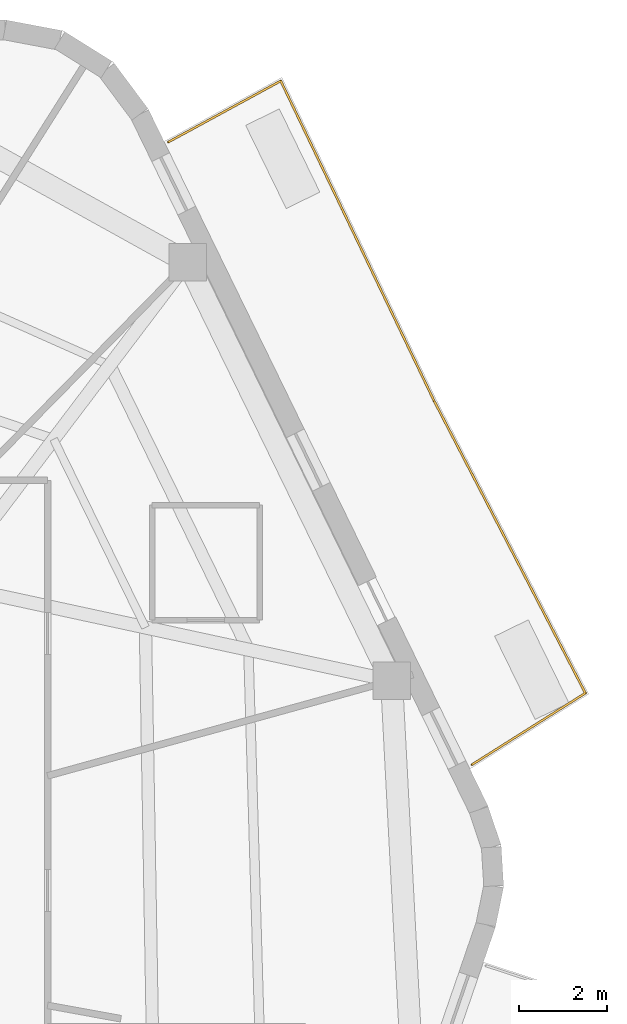
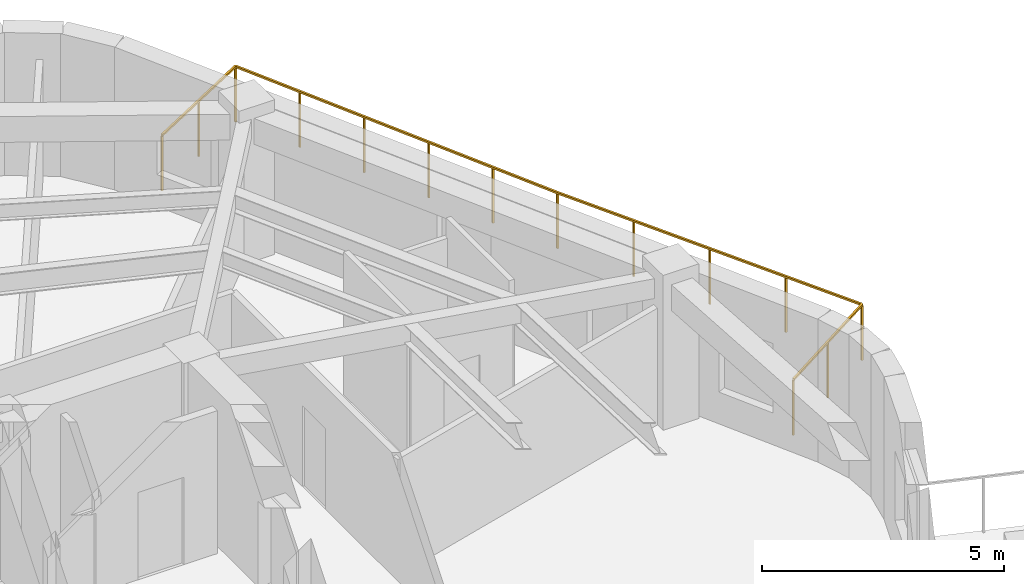
# One storey, part 9 of 9: 1 railing.
"""IFC4 building model written with IfcOpenShell, lengths in metres."""

from ifc_helpers import new_model, si_unit, direction, frame, origin, origin_2d, place, context, subcontext, project, spatial, rectangle, extrude, material, layer, layer_set, type_object, element, save


model = new_model("IFC4")

# Units and contexts
model_context = context("Model", 3, precision=1e-05, world=origin(), true_north=direction((0.0, 1.0)))
body_context = subcontext(model_context, "Body", "Model", "MODEL_VIEW")
ifc_project = project(units=[si_unit("LENGTHUNIT", "METRE"), si_unit("AREAUNIT", "SQUARE_METRE"), si_unit("VOLUMEUNIT", "CUBIC_METRE"), si_unit("PLANEANGLEUNIT", "RADIAN"), si_unit("MASSUNIT", "GRAM", prefix="KILO")], contexts=[model_context])

# Site, building, storey
site_placement = place(None, origin())
site = spatial("IfcSite", under=ifc_project, at=site_placement, CompositionType="ELEMENT")
building_placement = place(site_placement, origin())
building = spatial("IfcBuilding", under=site, at=building_placement, Name="Kilnhurst Terrace Hotel", CompositionType="ELEMENT")
storey_placement = place(building_placement, frame((0.0, 0.0, 273.0)))
storey = spatial("IfcBuildingStorey", under=building, at=storey_placement, Name="L68", CompositionType="ELEMENT", Elevation=273.0)

# Railing
ifc_material = material(Name="Laminated SentryGlas and Stainless Steel AISI 316L Balustrade", Category="steel")
ifc_layer = layer(ifc_material, 0.070068359375, Name="Laminated SentryGlas and Stainless Steel AISI 316L Balustrade")
ifc_layer_set = layer_set([ifc_layer], Name="Laminated SentryGlas and Stainless Steel AISI 316L Balustrade")
railing_type = type_object("IfcRailingType", Name="RLG-BAL-1420", PredefinedType="BALUSTRADE", material=ifc_layer_set)
railing_placement = place(storey_placement, frame((14.089599609375, 17.52880859375, 0.0)))
element("IfcRailing", 1, at=railing_placement, inside=storey, type_object=railing_type, Name="L68 Exterior Terrace Guardrail BAL-L1B.1", PredefinedType="BALUSTRADE", context=body_context, shape_type="SweptSolid", body=[
    extrude(rectangle(XDim=0.048095703125, YDim=0.048095703125, at=origin_2d()), frame((0.0, 0.0, 1.39599609375), z_axis=(0.878504936271, 0.477733269667, 0.0), x_axis=(-0.477733269667, 0.878504936271, 0.0)), (0.0, 0.0, 1.0), 2.90576171875),
    extrude(rectangle(XDim=0.048095703125, YDim=0.048095703125, at=origin_2d()), frame((2.552734375, 1.38818359375, 1.39599609375), z_axis=(0.432219770894, -0.901768301532, 0.0), x_axis=(0.901768301532, 0.432219770894, 0.0)), (0.0, 0.0, 1.0), 8.0576171875),
    extrude(rectangle(XDim=0.048095703125, YDim=0.048095703125, at=origin_2d()), frame((6.035400390625, -5.8779296875, 1.39599609375), z_axis=(0.496138938357, -0.868243142124, 0.0), x_axis=(0.868243142124, 0.496138938357, 0.0)), (0.0, 0.0, 1.0), 0.001953125),
    extrude(rectangle(XDim=0.048095703125, YDim=0.048095703125, at=origin_2d()), frame((6.036376953125, -5.879638671875, 1.39599609375), z_axis=(0.459705000347, -0.888071682161, 0.0), x_axis=(0.888071682161, 0.459705000347, 0.0)), (0.0, 0.0, 1.0), 7.46337890625),
    extrude(rectangle(XDim=0.048095703125, YDim=0.048095703125, at=origin_2d()), frame((9.46728515625, -12.507568359375, 1.39599609375), z_axis=(-0.845686755454, -0.533679596434, 0.0), x_axis=(0.533679596434, -0.845686755454, 0.0)), (0.0, 0.0, 1.0), 3.048583984375),
    extrude(rectangle(XDim=0.0419921875, YDim=0.0419921875, at=origin_2d()), origin(), (0.0, 0.0, 1.0), 1.371826171875),
    extrude(rectangle(XDim=0.0419921875, YDim=0.0419921875, at=origin_2d()), frame((1.2763671875, 0.694091796875, 0.0)), (0.0, 0.0, 1.0), 1.371826171875),
    extrude(rectangle(XDim=0.0419921875, YDim=0.0419921875, at=origin_2d()), frame((2.552734375, 1.38818359375, 0.0)), (0.0, 0.0, 1.0), 1.371826171875),
    extrude(rectangle(XDim=0.0419921875, YDim=0.0419921875, at=origin_2d()), frame((3.249267578125, -0.06494140625, 0.0)), (0.0, 0.0, 1.0), 1.371826171875),
    extrude(rectangle(XDim=0.0419921875, YDim=0.0419921875, at=origin_2d()), frame((3.94580078125, -1.518310546875, 0.0)), (0.0, 0.0, 1.0), 1.371826171875),
    extrude(rectangle(XDim=0.0419921875, YDim=0.0419921875, at=origin_2d()), frame((4.642333984375, -2.971435546875, 0.0)), (0.0, 0.0, 1.0), 1.371826171875),
    extrude(rectangle(XDim=0.0419921875, YDim=0.0419921875, at=origin_2d()), frame((5.3388671875, -4.4248046875, 0.0)), (0.0, 0.0, 1.0), 1.371826171875),
    extrude(rectangle(XDim=0.0419921875, YDim=0.0419921875, at=origin_2d()), frame((6.035400390625, -5.8779296875, 0.0)), (0.0, 0.0, 1.0), 1.371826171875),
    extrude(rectangle(XDim=0.0419921875, YDim=0.0419921875, at=origin_2d()), frame((6.036376953125, -5.879638671875, 0.0)), (0.0, 0.0, 1.0), 1.371826171875),
    extrude(rectangle(XDim=0.0419921875, YDim=0.0419921875, at=origin_2d()), frame((6.89404296875, -7.53662109375, 0.0)), (0.0, 0.0, 1.0), 1.371826171875),
    extrude(rectangle(XDim=0.0419921875, YDim=0.0419921875, at=origin_2d()), frame((7.751953125, -9.193603515625, 0.0)), (0.0, 0.0, 1.0), 1.371826171875),
    extrude(rectangle(XDim=0.0419921875, YDim=0.0419921875, at=origin_2d()), frame((8.609619140625, -10.8505859375, 0.0)), (0.0, 0.0, 1.0), 1.371826171875),
    extrude(rectangle(XDim=0.0419921875, YDim=0.0419921875, at=origin_2d()), frame((9.46728515625, -12.507568359375, 0.0)), (0.0, 0.0, 1.0), 1.371826171875),
    extrude(rectangle(XDim=0.0419921875, YDim=0.0419921875, at=origin_2d()), frame((8.17822265625, -13.321044921875, 0.0)), (0.0, 0.0, 1.0), 1.371826171875),
    extrude(rectangle(XDim=0.0419921875, YDim=0.0419921875, at=origin_2d()), frame((6.88916015625, -14.134521484375, 0.0)), (0.0, 0.0, 1.0), 1.371826171875),
])

save(model, "model.ifc")
